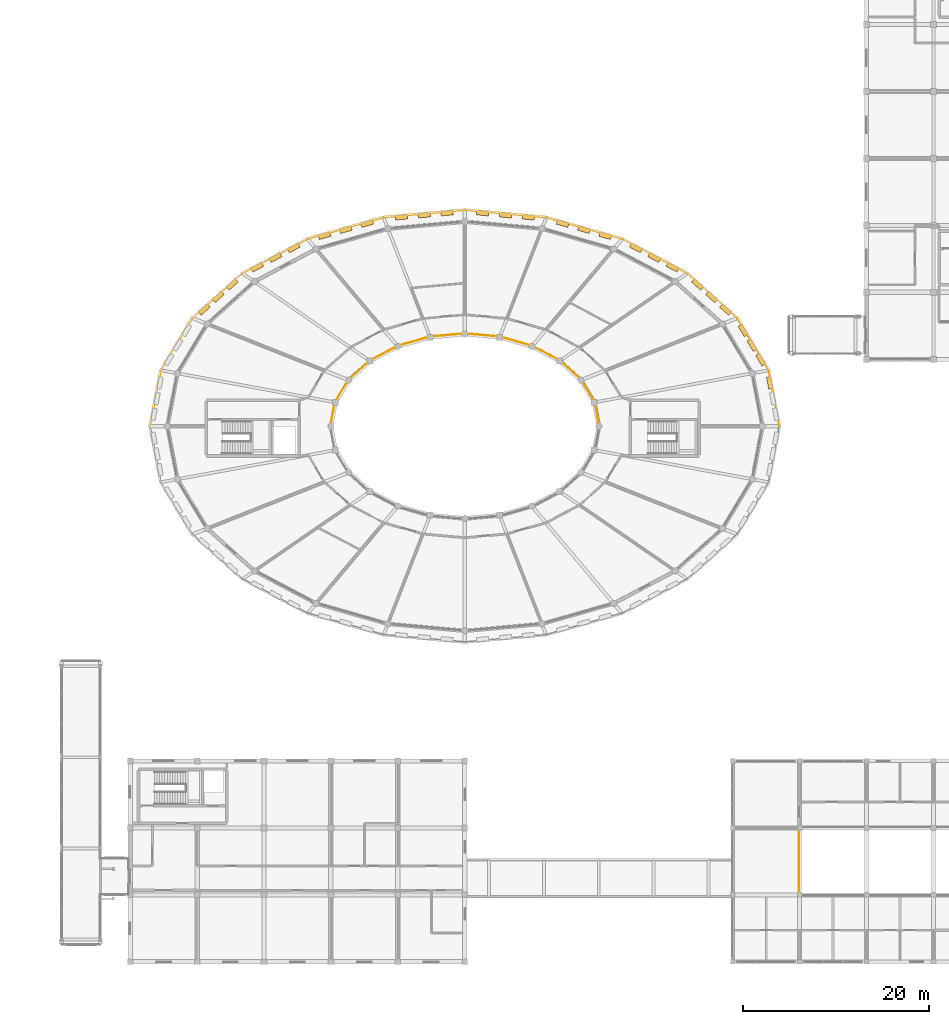
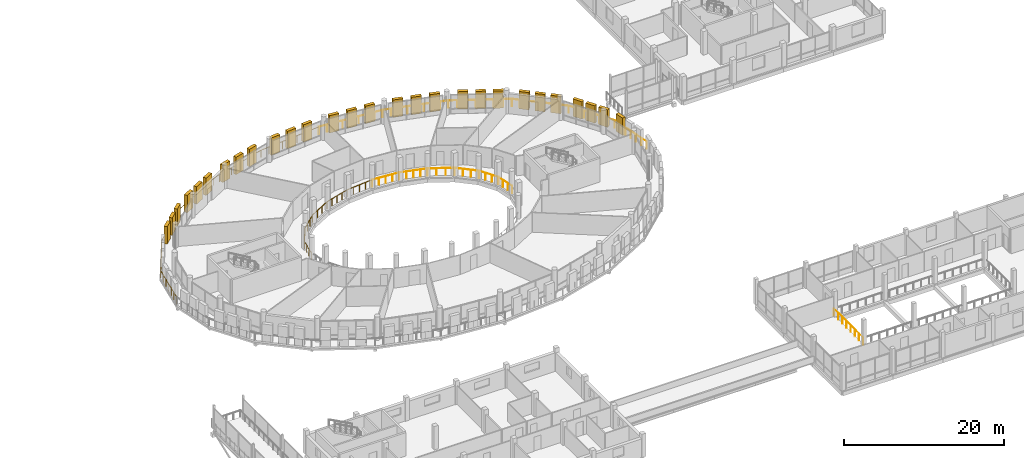
# One storey, part 126 of 128: 28 shading devices, 5 railings.
"""IFC4 building model written with IfcOpenShell, lengths in metres."""

from ifc_helpers import new_model, si_unit, direction, frame, origin, origin_2d, place, context, subcontext, project, spatial, rectangle, circle, extrude, material, type_object, element, save


model = new_model("IFC4")

# Units and contexts
model_context = context("Model", 3, precision=1e-05, world=origin(), true_north=direction((0.0, 1.0)))
body_context = subcontext(model_context, "Body", "Model", "MODEL_VIEW")
ifc_project = project(units=[si_unit("LENGTHUNIT", "METRE"), si_unit("AREAUNIT", "SQUARE_METRE"), si_unit("VOLUMEUNIT", "CUBIC_METRE"), si_unit("PLANEANGLEUNIT", "RADIAN"), si_unit("MASSUNIT", "GRAM", prefix="KILO")], contexts=[model_context])

# Site, building, storey
site_placement = place(None, origin())
site = spatial("IfcSite", under=ifc_project, at=site_placement, CompositionType="ELEMENT")
building_placement = place(site_placement, origin())
building = spatial("IfcBuilding", under=site, at=building_placement, Name="Zornivar Specialist Clinic", CompositionType="ELEMENT")
storey_placement = place(building_placement, frame((0.0, 0.0, 4.5)))
storey = spatial("IfcBuildingStorey", under=building, at=storey_placement, Name="L01", CompositionType="ELEMENT", Elevation=4.5)

# Railings
ifc_material_1 = material(Name="Painted Steel and Oiled Timber Balustrade", Category="steel")
railing_type_1 = type_object("IfcRailingType", Name="GRD-EXT-BALUST-1100", PredefinedType="BALUSTRADE", material=ifc_material_1)
railing_1_placement = place(storey_placement, frame((127.4541015625, 57.62890625, 0.0)))
element("IfcRailing", 1, at=railing_1_placement, inside=storey, type_object=railing_type_1, Name="rail:V1:L01:balc:q0", PredefinedType="BALUSTRADE", context=body_context, shape_type="SweptSolid", body=[
    extrude(circle(Radius=0.02392578125, at=origin_2d()), frame((0.0, 0.0, 1.076171875), z_axis=(-0.188227386656, 0.982125476155, 0.0), x_axis=(-0.982125476155, -0.188227386656, 0.0)), (0.0, 0.0, 1.0), 6.105224609375),
    extrude(circle(Radius=0.02392578125, at=origin_2d()), frame((-1.149169921875, 5.99609375, 1.076171875), z_axis=(-0.516422508188, 0.856333926127, 0.0), x_axis=(-0.856333926127, -0.516422508188, 0.0)), (0.0, 0.0, 1.0), 6.5546875),
    extrude(circle(Radius=0.02392578125, at=origin_2d()), frame((-4.5341796875, 11.609130859375, 1.076171875), z_axis=(-0.745201542332, 0.666839306959, 0.0), x_axis=(-0.666839306959, -0.745201542332, 0.0)), (0.0, 0.0, 1.0), 7.224853515625),
    extrude(circle(Radius=0.02392578125, at=origin_2d()), frame((-9.918212890625, 16.427001953125, 1.076171875), z_axis=(-0.884811989173, 0.465948220101, 0.0), x_axis=(-0.465948220101, -0.884811989173, 0.0)), (0.0, 0.0, 1.0), 7.92822265625),
    extrude(circle(Radius=0.02392578125, at=origin_2d()), frame((-16.93310546875, 20.12109375, 1.076171875), z_axis=(-0.961942919035, 0.273250472127, 0.0), x_axis=(-0.273250472127, -0.961942919035, 0.0)), (0.0, 0.0, 1.0), 8.487060546875),
    extrude(circle(Radius=0.02392578125, at=origin_2d()), frame((-25.09716796875, 22.440185546875, 1.076171875), z_axis=(-0.995949875612, 0.089910206697, 0.0), x_axis=(-0.089910206697, -0.995949875612, 0.0)), (0.0, 0.0, 1.0), 8.762451171875),
    extrude(circle(Radius=0.02099609375, at=origin_2d()), origin(), (0.0, 0.0, 1.0), 1.052001953125),
    extrude(circle(Radius=0.02099609375, at=origin_2d()), frame((-0.19140625, 0.999267578125, 0.0)), (0.0, 0.0, 1.0), 1.052001953125),
    extrude(circle(Radius=0.02099609375, at=origin_2d()), frame((-0.383056640625, 1.998779296875, 0.0)), (0.0, 0.0, 1.0), 1.052001953125),
    extrude(circle(Radius=0.02099609375, at=origin_2d()), frame((-0.57470703125, 2.998046875, 0.0)), (0.0, 0.0, 1.0), 1.052001953125),
    extrude(circle(Radius=0.02099609375, at=origin_2d()), frame((-0.76611328125, 3.997314453125, 0.0)), (0.0, 0.0, 1.0), 1.052001953125),
    extrude(circle(Radius=0.02099609375, at=origin_2d()), frame((-0.95751953125, 4.996826171875, 0.0)), (0.0, 0.0, 1.0), 1.052001953125),
    extrude(circle(Radius=0.02099609375, at=origin_2d()), frame((-1.149169921875, 5.99609375, 0.0)), (0.0, 0.0, 1.0), 1.052001953125),
    extrude(circle(Radius=0.02099609375, at=origin_2d()), frame((-1.71337890625, 6.931640625, 0.0)), (0.0, 0.0, 1.0), 1.052001953125),
    extrude(circle(Radius=0.02099609375, at=origin_2d()), frame((-2.277587890625, 7.8671875, 0.0)), (0.0, 0.0, 1.0), 1.052001953125),
    extrude(circle(Radius=0.02099609375, at=origin_2d()), frame((-2.841796875, 8.802734375, 0.0)), (0.0, 0.0, 1.0), 1.052001953125),
    extrude(circle(Radius=0.02099609375, at=origin_2d()), frame((-3.40576171875, 9.738037109375, 0.0)), (0.0, 0.0, 1.0), 1.052001953125),
    extrude(circle(Radius=0.02099609375, at=origin_2d()), frame((-3.969970703125, 10.673583984375, 0.0)), (0.0, 0.0, 1.0), 1.052001953125),
    extrude(circle(Radius=0.02099609375, at=origin_2d()), frame((-4.5341796875, 11.609130859375, 0.0)), (0.0, 0.0, 1.0), 1.052001953125),
    extrude(circle(Radius=0.02099609375, at=origin_2d()), frame((-5.30322265625, 12.29736328125, 0.0)), (0.0, 0.0, 1.0), 1.052001953125),
    extrude(circle(Radius=0.02099609375, at=origin_2d()), frame((-6.072509765625, 12.985595703125, 0.0)), (0.0, 0.0, 1.0), 1.052001953125),
    extrude(circle(Radius=0.02099609375, at=origin_2d()), frame((-6.841552734375, 13.673828125, 0.0)), (0.0, 0.0, 1.0), 1.052001953125),
    extrude(circle(Radius=0.02099609375, at=origin_2d()), frame((-7.61083984375, 14.3623046875, 0.0)), (0.0, 0.0, 1.0), 1.052001953125),
    extrude(circle(Radius=0.02099609375, at=origin_2d()), frame((-8.3798828125, 15.050537109375, 0.0)), (0.0, 0.0, 1.0), 1.052001953125),
    extrude(circle(Radius=0.02099609375, at=origin_2d()), frame((-9.149169921875, 15.73876953125, 0.0)), (0.0, 0.0, 1.0), 1.052001953125),
    extrude(circle(Radius=0.02099609375, at=origin_2d()), frame((-9.918212890625, 16.427001953125, 0.0)), (0.0, 0.0, 1.0), 1.052001953125),
    extrude(circle(Radius=0.02099609375, at=origin_2d()), frame((-10.92041015625, 16.954833984375, 0.0)), (0.0, 0.0, 1.0), 1.052001953125),
    extrude(circle(Radius=0.02099609375, at=origin_2d()), frame((-11.92236328125, 17.482421875, 0.0)), (0.0, 0.0, 1.0), 1.052001953125),
    extrude(circle(Radius=0.02099609375, at=origin_2d()), frame((-12.924560546875, 18.01025390625, 0.0)), (0.0, 0.0, 1.0), 1.052001953125),
    extrude(circle(Radius=0.02099609375, at=origin_2d()), frame((-13.9267578125, 18.537841796875, 0.0)), (0.0, 0.0, 1.0), 1.052001953125),
    extrude(circle(Radius=0.02099609375, at=origin_2d()), frame((-14.928955078125, 19.065673828125, 0.0)), (0.0, 0.0, 1.0), 1.052001953125),
    extrude(circle(Radius=0.02099609375, at=origin_2d()), frame((-15.930908203125, 19.59326171875, 0.0)), (0.0, 0.0, 1.0), 1.052001953125),
    extrude(circle(Radius=0.02099609375, at=origin_2d()), frame((-16.93310546875, 20.12109375, 0.0)), (0.0, 0.0, 1.0), 1.052001953125),
    extrude(circle(Radius=0.02099609375, at=origin_2d()), frame((-17.95361328125, 20.410888671875, 0.0)), (0.0, 0.0, 1.0), 1.052001953125),
    extrude(circle(Radius=0.02099609375, at=origin_2d()), frame((-18.97412109375, 20.700927734375, 0.0)), (0.0, 0.0, 1.0), 1.052001953125),
    extrude(circle(Radius=0.02099609375, at=origin_2d()), frame((-19.99462890625, 20.99072265625, 0.0)), (0.0, 0.0, 1.0), 1.052001953125),
    extrude(circle(Radius=0.02099609375, at=origin_2d()), frame((-21.01513671875, 21.28076171875, 0.0)), (0.0, 0.0, 1.0), 1.052001953125),
    extrude(circle(Radius=0.02099609375, at=origin_2d()), frame((-22.03564453125, 21.570556640625, 0.0)), (0.0, 0.0, 1.0), 1.052001953125),
    extrude(circle(Radius=0.02099609375, at=origin_2d()), frame((-23.05615234375, 21.8603515625, 0.0)), (0.0, 0.0, 1.0), 1.052001953125),
    extrude(circle(Radius=0.02099609375, at=origin_2d()), frame((-24.07666015625, 22.150390625, 0.0)), (0.0, 0.0, 1.0), 1.052001953125),
    extrude(circle(Radius=0.02099609375, at=origin_2d()), frame((-25.09716796875, 22.440185546875, 0.0)), (0.0, 0.0, 1.0), 1.052001953125),
    extrude(circle(Radius=0.02099609375, at=origin_2d()), frame((-26.18798828125, 22.53857421875, 0.0)), (0.0, 0.0, 1.0), 1.052001953125),
    extrude(circle(Radius=0.02099609375, at=origin_2d()), frame((-27.27880859375, 22.63720703125, 0.0)), (0.0, 0.0, 1.0), 1.052001953125),
    extrude(circle(Radius=0.02099609375, at=origin_2d()), frame((-28.369873046875, 22.735595703125, 0.0)), (0.0, 0.0, 1.0), 1.052001953125),
    extrude(circle(Radius=0.02099609375, at=origin_2d()), frame((-29.460693359375, 22.833984375, 0.0)), (0.0, 0.0, 1.0), 1.052001953125),
    extrude(circle(Radius=0.02099609375, at=origin_2d()), frame((-30.551513671875, 22.9326171875, 0.0)), (0.0, 0.0, 1.0), 1.052001953125),
    extrude(circle(Radius=0.02099609375, at=origin_2d()), frame((-31.642578125, 23.031005859375, 0.0)), (0.0, 0.0, 1.0), 1.052001953125),
    extrude(circle(Radius=0.02099609375, at=origin_2d()), frame((-32.7333984375, 23.129638671875, 0.0)), (0.0, 0.0, 1.0), 1.052001953125),
    extrude(circle(Radius=0.02099609375, at=origin_2d()), frame((-33.82421875, 23.22802734375, 0.0)), (0.0, 0.0, 1.0), 1.052001953125),
])
railing_2_placement = place(storey_placement, frame((93.570068359375, 80.85693359375, 0.0)))
element("IfcRailing", 2, at=railing_2_placement, inside=storey, type_object=railing_type_1, Name="rail:V1:L01:balc:q1", PredefinedType="BALUSTRADE", context=body_context, shape_type="SweptSolid", body=[
    extrude(circle(Radius=0.02392578125, at=origin_2d()), frame((0.0, 0.0, 1.076171875), z_axis=(-0.995949875612, -0.089910206697, 0.0), x_axis=(0.089910206697, -0.995949875612, 0.0)), (0.0, 0.0, 1.0), 8.762451171875),
    extrude(circle(Radius=0.02392578125, at=origin_2d()), frame((-8.72705078125, -0.787841796875, 1.076171875), z_axis=(-0.961942919035, -0.273250472127, 0.0), x_axis=(0.273250472127, -0.961942919035, 0.0)), (0.0, 0.0, 1.0), 8.487060546875),
    extrude(circle(Radius=0.02392578125, at=origin_2d()), frame((-16.89111328125, -3.10693359375, 1.076171875), z_axis=(-0.884811989173, -0.465948220101, 0.0), x_axis=(0.465948220101, -0.884811989173, 0.0)), (0.0, 0.0, 1.0), 7.92822265625),
    extrude(circle(Radius=0.02392578125, at=origin_2d()), frame((-23.906005859375, -6.801025390625, 1.076171875), z_axis=(-0.745201542332, -0.666839306959, 0.0), x_axis=(0.666839306959, -0.745201542332, 0.0)), (0.0, 0.0, 1.0), 7.224853515625),
    extrude(circle(Radius=0.02392578125, at=origin_2d()), frame((-29.2900390625, -11.618896484375, 1.076171875), z_axis=(-0.516422508188, -0.856333926127, 0.0), x_axis=(0.856333926127, -0.516422508188, 0.0)), (0.0, 0.0, 1.0), 6.5546875),
    extrude(circle(Radius=0.02392578125, at=origin_2d()), frame((-32.675048828125, -17.23193359375, 1.076171875), z_axis=(-0.188188814184, -0.982132867903, 0.0), x_axis=(0.982132867903, -0.188188814184, 0.0)), (0.0, 0.0, 1.0), 6.105224609375),
    extrude(circle(Radius=0.02099609375, at=origin_2d()), origin(), (0.0, 0.0, 1.0), 1.052001953125),
    extrude(circle(Radius=0.02099609375, at=origin_2d()), frame((-1.0908203125, -0.098388671875, 0.0)), (0.0, 0.0, 1.0), 1.052001953125),
    extrude(circle(Radius=0.02099609375, at=origin_2d()), frame((-2.181640625, -0.197021484375, 0.0)), (0.0, 0.0, 1.0), 1.052001953125),
    extrude(circle(Radius=0.02099609375, at=origin_2d()), frame((-3.272705078125, -0.29541015625, 0.0)), (0.0, 0.0, 1.0), 1.052001953125),
    extrude(circle(Radius=0.02099609375, at=origin_2d()), frame((-4.363525390625, -0.39404296875, 0.0)), (0.0, 0.0, 1.0), 1.052001953125),
    extrude(circle(Radius=0.02099609375, at=origin_2d()), frame((-5.454345703125, -0.492431640625, 0.0)), (0.0, 0.0, 1.0), 1.052001953125),
    extrude(circle(Radius=0.02099609375, at=origin_2d()), frame((-6.54541015625, -0.5908203125, 0.0)), (0.0, 0.0, 1.0), 1.052001953125),
    extrude(circle(Radius=0.02099609375, at=origin_2d()), frame((-7.63623046875, -0.689453125, 0.0)), (0.0, 0.0, 1.0), 1.052001953125),
    extrude(circle(Radius=0.02099609375, at=origin_2d()), frame((-8.72705078125, -0.787841796875, 0.0)), (0.0, 0.0, 1.0), 1.052001953125),
    extrude(circle(Radius=0.02099609375, at=origin_2d()), frame((-9.74755859375, -1.07763671875, 0.0)), (0.0, 0.0, 1.0), 1.052001953125),
    extrude(circle(Radius=0.02099609375, at=origin_2d()), frame((-10.76806640625, -1.36767578125, 0.0)), (0.0, 0.0, 1.0), 1.052001953125),
    extrude(circle(Radius=0.02099609375, at=origin_2d()), frame((-11.78857421875, -1.657470703125, 0.0)), (0.0, 0.0, 1.0), 1.052001953125),
    extrude(circle(Radius=0.02099609375, at=origin_2d()), frame((-12.80908203125, -1.947265625, 0.0)), (0.0, 0.0, 1.0), 1.052001953125),
    extrude(circle(Radius=0.02099609375, at=origin_2d()), frame((-13.82958984375, -2.2373046875, 0.0)), (0.0, 0.0, 1.0), 1.052001953125),
    extrude(circle(Radius=0.02099609375, at=origin_2d()), frame((-14.85009765625, -2.527099609375, 0.0)), (0.0, 0.0, 1.0), 1.052001953125),
    extrude(circle(Radius=0.02099609375, at=origin_2d()), frame((-15.87060546875, -2.817138671875, 0.0)), (0.0, 0.0, 1.0), 1.052001953125),
    extrude(circle(Radius=0.02099609375, at=origin_2d()), frame((-16.89111328125, -3.10693359375, 0.0)), (0.0, 0.0, 1.0), 1.052001953125),
    extrude(circle(Radius=0.02099609375, at=origin_2d()), frame((-17.893310546875, -3.634765625, 0.0)), (0.0, 0.0, 1.0), 1.052001953125),
    extrude(circle(Radius=0.02099609375, at=origin_2d()), frame((-18.895263671875, -4.162353515625, 0.0)), (0.0, 0.0, 1.0), 1.052001953125),
    extrude(circle(Radius=0.02099609375, at=origin_2d()), frame((-19.8974609375, -4.690185546875, 0.0)), (0.0, 0.0, 1.0), 1.052001953125),
    extrude(circle(Radius=0.02099609375, at=origin_2d()), frame((-20.899658203125, -5.2177734375, 0.0)), (0.0, 0.0, 1.0), 1.052001953125),
    extrude(circle(Radius=0.02099609375, at=origin_2d()), frame((-21.90185546875, -5.74560546875, 0.0)), (0.0, 0.0, 1.0), 1.052001953125),
    extrude(circle(Radius=0.02099609375, at=origin_2d()), frame((-22.90380859375, -6.273193359375, 0.0)), (0.0, 0.0, 1.0), 1.052001953125),
    extrude(circle(Radius=0.02099609375, at=origin_2d()), frame((-23.906005859375, -6.801025390625, 0.0)), (0.0, 0.0, 1.0), 1.052001953125),
    extrude(circle(Radius=0.02099609375, at=origin_2d()), frame((-24.675048828125, -7.4892578125, 0.0)), (0.0, 0.0, 1.0), 1.052001953125),
    extrude(circle(Radius=0.02099609375, at=origin_2d()), frame((-25.4443359375, -8.177490234375, 0.0)), (0.0, 0.0, 1.0), 1.052001953125),
    extrude(circle(Radius=0.02099609375, at=origin_2d()), frame((-26.21337890625, -8.86572265625, 0.0)), (0.0, 0.0, 1.0), 1.052001953125),
    extrude(circle(Radius=0.02099609375, at=origin_2d()), frame((-26.982666015625, -9.55419921875, 0.0)), (0.0, 0.0, 1.0), 1.052001953125),
    extrude(circle(Radius=0.02099609375, at=origin_2d()), frame((-27.751708984375, -10.242431640625, 0.0)), (0.0, 0.0, 1.0), 1.052001953125),
    extrude(circle(Radius=0.02099609375, at=origin_2d()), frame((-28.52099609375, -10.9306640625, 0.0)), (0.0, 0.0, 1.0), 1.052001953125),
    extrude(circle(Radius=0.02099609375, at=origin_2d()), frame((-29.2900390625, -11.618896484375, 0.0)), (0.0, 0.0, 1.0), 1.052001953125),
    extrude(circle(Radius=0.02099609375, at=origin_2d()), frame((-29.854248046875, -12.554443359375, 0.0)), (0.0, 0.0, 1.0), 1.052001953125),
    extrude(circle(Radius=0.02099609375, at=origin_2d()), frame((-30.41845703125, -13.489990234375, 0.0)), (0.0, 0.0, 1.0), 1.052001953125),
    extrude(circle(Radius=0.02099609375, at=origin_2d()), frame((-30.982421875, -14.42529296875, 0.0)), (0.0, 0.0, 1.0), 1.052001953125),
    extrude(circle(Radius=0.02099609375, at=origin_2d()), frame((-31.546630859375, -15.36083984375, 0.0)), (0.0, 0.0, 1.0), 1.052001953125),
    extrude(circle(Radius=0.02099609375, at=origin_2d()), frame((-32.11083984375, -16.29638671875, 0.0)), (0.0, 0.0, 1.0), 1.052001953125),
    extrude(circle(Radius=0.02099609375, at=origin_2d()), frame((-32.675048828125, -17.23193359375, 0.0)), (0.0, 0.0, 1.0), 1.052001953125),
    extrude(circle(Radius=0.02099609375, at=origin_2d()), frame((-32.866455078125, -18.231201171875, 0.0)), (0.0, 0.0, 1.0), 1.052001953125),
    extrude(circle(Radius=0.02099609375, at=origin_2d()), frame((-33.05810546875, -19.230712890625, 0.0)), (0.0, 0.0, 1.0), 1.052001953125),
    extrude(circle(Radius=0.02099609375, at=origin_2d()), frame((-33.24951171875, -20.22998046875, 0.0)), (0.0, 0.0, 1.0), 1.052001953125),
    extrude(circle(Radius=0.02099609375, at=origin_2d()), frame((-33.44091796875, -21.229248046875, 0.0)), (0.0, 0.0, 1.0), 1.052001953125),
    extrude(circle(Radius=0.02099609375, at=origin_2d()), frame((-33.632568359375, -22.228759765625, 0.0)), (0.0, 0.0, 1.0), 1.052001953125),
    extrude(circle(Radius=0.02099609375, at=origin_2d()), frame((-33.823974609375, -23.22802734375, 0.0)), (0.0, 0.0, 1.0), 1.052001953125),
])
ifc_material_2 = material(Name="Brushed Stainless Steel Stair Guardrail", Category="steel")
railing_type_2 = type_object("IfcRailingType", Name="GRD-INT-STAIR-1100", PredefinedType="GUARDRAIL", material=ifc_material_2)
railing_3_placement = place(storey_placement, frame((108.073974609375, 57.62890625, 0.0)))
element("IfcRailing", 3, at=railing_3_placement, inside=storey, type_object=railing_type_2, Name="sg:V1:L01:atrium:q0", PredefinedType="GUARDRAIL", context=body_context, shape_type="SweptSolid", body=[
    extrude(circle(Radius=0.02392578125, at=origin_2d()), frame((0.0, 0.0, 1.076171875), z_axis=(-0.187453881852, 0.982273405004, 0.0), x_axis=(-0.982273405004, -0.187453881852, 0.0)), (0.0, 0.0, 1.0), 2.593017578125),
    extrude(circle(Radius=0.02392578125, at=origin_2d()), frame((-0.486083984375, 2.547119140625, 1.076171875), z_axis=(-0.5146109966, 0.857423770477, 0.0), x_axis=(-0.857423770477, -0.5146109966, 0.0)), (0.0, 0.0, 1.0), 2.8037109375),
    extrude(circle(Radius=0.02392578125, at=origin_2d()), frame((-1.928955078125, 4.951171875, 1.076171875), z_axis=(-0.743690964055, 0.668523559781, 0.0), x_axis=(-0.668523559781, -0.743690964055, 0.0)), (0.0, 0.0, 1.0), 3.0888671875),
    extrude(circle(Radius=0.02392578125, at=origin_2d()), frame((-4.22607421875, 7.01611328125, 1.076171875), z_axis=(-0.883356925607, 0.468700908878, 0.0), x_axis=(-0.468700908878, -0.883356925607, 0.0)), (0.0, 0.0, 1.0), 3.392578125),
    extrude(circle(Radius=0.02392578125, at=origin_2d()), frame((-7.222900390625, 8.606201171875, 1.076171875), z_axis=(-0.96120914359, 0.27582056174, 0.0), x_axis=(-0.27582056174, -0.96120914359, 0.0)), (0.0, 0.0, 1.0), 3.63623046875),
    extrude(circle(Radius=0.02392578125, at=origin_2d()), frame((-10.718017578125, 9.609130859375, 1.076171875), z_axis=(-0.995889996682, 0.090571046743, 0.0), x_axis=(-0.090571046743, -0.995889996682, 0.0)), (0.0, 0.0, 1.0), 3.741455078125),
    extrude(circle(Radius=0.02099609375, at=origin_2d()), origin(), (0.0, 0.0, 1.0), 1.052001953125),
    extrude(circle(Radius=0.02099609375, at=origin_2d()), frame((-0.162109375, 0.84912109375, 0.0)), (0.0, 0.0, 1.0), 1.052001953125),
    extrude(circle(Radius=0.02099609375, at=origin_2d()), frame((-0.323974609375, 1.697998046875, 0.0)), (0.0, 0.0, 1.0), 1.052001953125),
    extrude(circle(Radius=0.02099609375, at=origin_2d()), frame((-0.486083984375, 2.547119140625, 0.0)), (0.0, 0.0, 1.0), 1.052001953125),
    extrude(circle(Radius=0.02099609375, at=origin_2d()), frame((-0.967041015625, 3.348388671875, 0.0)), (0.0, 0.0, 1.0), 1.052001953125),
    extrude(circle(Radius=0.02099609375, at=origin_2d()), frame((-1.447998046875, 4.14990234375, 0.0)), (0.0, 0.0, 1.0), 1.052001953125),
    extrude(circle(Radius=0.02099609375, at=origin_2d()), frame((-1.928955078125, 4.951171875, 0.0)), (0.0, 0.0, 1.0), 1.052001953125),
    extrude(circle(Radius=0.02099609375, at=origin_2d()), frame((-2.694580078125, 5.639404296875, 0.0)), (0.0, 0.0, 1.0), 1.052001953125),
    extrude(circle(Radius=0.02099609375, at=origin_2d()), frame((-3.46044921875, 6.327880859375, 0.0)), (0.0, 0.0, 1.0), 1.052001953125),
    extrude(circle(Radius=0.02099609375, at=origin_2d()), frame((-4.22607421875, 7.01611328125, 0.0)), (0.0, 0.0, 1.0), 1.052001953125),
    extrude(circle(Radius=0.02099609375, at=origin_2d()), frame((-5.22509765625, 7.546142578125, 0.0)), (0.0, 0.0, 1.0), 1.052001953125),
    extrude(circle(Radius=0.02099609375, at=origin_2d()), frame((-6.223876953125, 8.076171875, 0.0)), (0.0, 0.0, 1.0), 1.052001953125),
    extrude(circle(Radius=0.02099609375, at=origin_2d()), frame((-7.222900390625, 8.606201171875, 0.0)), (0.0, 0.0, 1.0), 1.052001953125),
    extrude(circle(Radius=0.02099609375, at=origin_2d()), frame((-8.0966796875, 8.85693359375, 0.0)), (0.0, 0.0, 1.0), 1.052001953125),
    extrude(circle(Radius=0.02099609375, at=origin_2d()), frame((-8.970458984375, 9.107666015625, 0.0)), (0.0, 0.0, 1.0), 1.052001953125),
    extrude(circle(Radius=0.02099609375, at=origin_2d()), frame((-9.84423828125, 9.3583984375, 0.0)), (0.0, 0.0, 1.0), 1.052001953125),
    extrude(circle(Radius=0.02099609375, at=origin_2d()), frame((-10.718017578125, 9.609130859375, 0.0)), (0.0, 0.0, 1.0), 1.052001953125),
    extrude(circle(Radius=0.02099609375, at=origin_2d()), frame((-11.6494140625, 9.69384765625, 0.0)), (0.0, 0.0, 1.0), 1.052001953125),
    extrude(circle(Radius=0.02099609375, at=origin_2d()), frame((-12.5810546875, 9.778564453125, 0.0)), (0.0, 0.0, 1.0), 1.052001953125),
    extrude(circle(Radius=0.02099609375, at=origin_2d()), frame((-13.5126953125, 9.86328125, 0.0)), (0.0, 0.0, 1.0), 1.052001953125),
    extrude(circle(Radius=0.02099609375, at=origin_2d()), frame((-14.444091796875, 9.947998046875, 0.0)), (0.0, 0.0, 1.0), 1.052001953125),
])
railing_4_placement = place(storey_placement, frame((93.570068359375, 67.576904296875, 0.0)))
element("IfcRailing", 4, at=railing_4_placement, inside=storey, type_object=railing_type_2, Name="sg:V1:L01:atrium:q1", PredefinedType="GUARDRAIL", context=body_context, shape_type="SweptSolid", body=[
    extrude(circle(Radius=0.02392578125, at=origin_2d()), frame((0.0, 0.0, 1.076171875), z_axis=(-0.995889996682, -0.090571046743, 0.0), x_axis=(0.090571046743, -0.995889996682, 0.0)), (0.0, 0.0, 1.0), 3.741455078125),
    extrude(circle(Radius=0.02392578125, at=origin_2d()), frame((-3.72607421875, -0.3388671875, 1.076171875), z_axis=(-0.961204035112, -0.275838363691, 0.0), x_axis=(0.275838363691, -0.961204035112, 0.0)), (0.0, 0.0, 1.0), 3.635986328125),
    extrude(circle(Radius=0.02392578125, at=origin_2d()), frame((-7.220947265625, -1.341796875, 1.076171875), z_axis=(-0.883372733169, -0.468671115276, 0.0), x_axis=(0.468671115276, -0.883372733169, 0.0)), (0.0, 0.0, 1.0), 3.392822265625),
    extrude(circle(Radius=0.02392578125, at=origin_2d()), frame((-10.218017578125, -2.931884765625, 1.076171875), z_axis=(-0.743690964055, -0.668523559781, 0.0), x_axis=(0.668523559781, -0.743690964055, 0.0)), (0.0, 0.0, 1.0), 3.0888671875),
    extrude(circle(Radius=0.02392578125, at=origin_2d()), frame((-12.51513671875, -4.996826171875, 1.076171875), z_axis=(-0.5146109966, -0.857423770477, 0.0), x_axis=(0.857423770477, -0.5146109966, 0.0)), (0.0, 0.0, 1.0), 2.8037109375),
    extrude(circle(Radius=0.02392578125, at=origin_2d()), frame((-13.9580078125, -7.40087890625, 1.076171875), z_axis=(-0.187453881852, -0.982273405004, 0.0), x_axis=(0.982273405004, -0.187453881852, 0.0)), (0.0, 0.0, 1.0), 2.593017578125),
    extrude(circle(Radius=0.02099609375, at=origin_2d()), origin(), (0.0, 0.0, 1.0), 1.052001953125),
    extrude(circle(Radius=0.02099609375, at=origin_2d()), frame((-0.931640625, -0.084716796875, 0.0)), (0.0, 0.0, 1.0), 1.052001953125),
    extrude(circle(Radius=0.02099609375, at=origin_2d()), frame((-1.863037109375, -0.16943359375, 0.0)), (0.0, 0.0, 1.0), 1.052001953125),
    extrude(circle(Radius=0.02099609375, at=origin_2d()), frame((-2.79443359375, -0.254150390625, 0.0)), (0.0, 0.0, 1.0), 1.052001953125),
    extrude(circle(Radius=0.02099609375, at=origin_2d()), frame((-3.72607421875, -0.3388671875, 0.0)), (0.0, 0.0, 1.0), 1.052001953125),
    extrude(circle(Radius=0.02099609375, at=origin_2d()), frame((-4.599853515625, -0.589599609375, 0.0)), (0.0, 0.0, 1.0), 1.052001953125),
    extrude(circle(Radius=0.02099609375, at=origin_2d()), frame((-5.4736328125, -0.84033203125, 0.0)), (0.0, 0.0, 1.0), 1.052001953125),
    extrude(circle(Radius=0.02099609375, at=origin_2d()), frame((-6.34716796875, -1.091064453125, 0.0)), (0.0, 0.0, 1.0), 1.052001953125),
    extrude(circle(Radius=0.02099609375, at=origin_2d()), frame((-7.220947265625, -1.341796875, 0.0)), (0.0, 0.0, 1.0), 1.052001953125),
    extrude(circle(Radius=0.02099609375, at=origin_2d()), frame((-8.219970703125, -1.871826171875, 0.0)), (0.0, 0.0, 1.0), 1.052001953125),
    extrude(circle(Radius=0.02099609375, at=origin_2d()), frame((-9.218994140625, -2.40185546875, 0.0)), (0.0, 0.0, 1.0), 1.052001953125),
    extrude(circle(Radius=0.02099609375, at=origin_2d()), frame((-10.218017578125, -2.931884765625, 0.0)), (0.0, 0.0, 1.0), 1.052001953125),
    extrude(circle(Radius=0.02099609375, at=origin_2d()), frame((-10.983642578125, -3.6201171875, 0.0)), (0.0, 0.0, 1.0), 1.052001953125),
    extrude(circle(Radius=0.02099609375, at=origin_2d()), frame((-11.74951171875, -4.30859375, 0.0)), (0.0, 0.0, 1.0), 1.052001953125),
    extrude(circle(Radius=0.02099609375, at=origin_2d()), frame((-12.51513671875, -4.996826171875, 0.0)), (0.0, 0.0, 1.0), 1.052001953125),
    extrude(circle(Radius=0.02099609375, at=origin_2d()), frame((-12.99609375, -5.798095703125, 0.0)), (0.0, 0.0, 1.0), 1.052001953125),
    extrude(circle(Radius=0.02099609375, at=origin_2d()), frame((-13.47705078125, -6.599609375, 0.0)), (0.0, 0.0, 1.0), 1.052001953125),
    extrude(circle(Radius=0.02099609375, at=origin_2d()), frame((-13.9580078125, -7.40087890625, 0.0)), (0.0, 0.0, 1.0), 1.052001953125),
    extrude(circle(Radius=0.02099609375, at=origin_2d()), frame((-14.1201171875, -8.25, 0.0)), (0.0, 0.0, 1.0), 1.052001953125),
    extrude(circle(Radius=0.02099609375, at=origin_2d()), frame((-14.281982421875, -9.098876953125, 0.0)), (0.0, 0.0, 1.0), 1.052001953125),
    extrude(circle(Radius=0.02099609375, at=origin_2d()), frame((-14.444091796875, -9.947998046875, 0.0)), (0.0, 0.0, 1.0), 1.052001953125),
])
railing_5_placement = place(storey_placement, frame((129.52001953125, 14.43994140625, 0.0)))
element("IfcRailing", 5, at=railing_5_placement, inside=storey, type_object=railing_type_2, Name="sg:V4:L01:void:W", PredefinedType="GUARDRAIL", context=body_context, shape_type="SweptSolid", body=[
    extrude(circle(Radius=0.02392578125, at=origin_2d()), frame((0.0, 0.0, 1.076171875), z_axis=(0.0, -1.0, 0.0), x_axis=(1.0, 0.0, 0.0)), (0.0, 0.0, 1.0), 7.280029296875),
    extrude(circle(Radius=0.02099609375, at=origin_2d()), origin(), (0.0, 0.0, 1.0), 1.052001953125),
    extrude(circle(Radius=0.02099609375, at=origin_2d()), frame((0.0, -1.0400390625, 0.0)), (0.0, 0.0, 1.0), 1.052001953125),
    extrude(circle(Radius=0.02099609375, at=origin_2d()), frame((0.0, -2.080078125, 0.0)), (0.0, 0.0, 1.0), 1.052001953125),
    extrude(circle(Radius=0.02099609375, at=origin_2d()), frame((0.0, -3.1201171875, 0.0)), (0.0, 0.0, 1.0), 1.052001953125),
    extrude(circle(Radius=0.02099609375, at=origin_2d()), frame((0.0, -4.159912109375, 0.0)), (0.0, 0.0, 1.0), 1.052001953125),
    extrude(circle(Radius=0.02099609375, at=origin_2d()), frame((0.0, -5.199951171875, 0.0)), (0.0, 0.0, 1.0), 1.052001953125),
    extrude(circle(Radius=0.02099609375, at=origin_2d()), frame((0.0, -6.239990234375, 0.0)), (0.0, 0.0, 1.0), 1.052001953125),
    extrude(circle(Radius=0.02099609375, at=origin_2d()), frame((0.0, -7.280029296875, 0.0)), (0.0, 0.0, 1.0), 1.052001953125),
])

# Shading devices
ifc_material_3 = material(Name="Oiled European Larch Timber Louvre Shutter", Category="wood")
shading_device_type = type_object("IfcShadingDeviceType", Name="SHD-DRUM-SHUTTER-450", PredefinedType="SHUTTER", material=ifc_material_3)
for number, where, z_axis, x_axis, name in (
    (6, (126.373046875, 62.260986328125, 0.0), (0.0, 0.0, 1.0), (-0.188098987302, 0.982150075587, 0.0), "shutter:V1:L01:c00:2"),
    (7, (125.404052734375, 64.743896484375, 0.0), (0.0, 0.0, 1.0), (-0.516018019467, 0.856577727696, 0.0), "shutter:V1:L01:c01:0"),
    (8, (124.4560546875, 66.319091796875, 0.0), (0.0, 0.0, 1.0), (-0.516018019467, 0.856577727696, 0.0), "shutter:V1:L01:c01:1"),
    (9, (123.507080078125, 67.89404296875, 0.0), (0.0, 0.0, 1.0), (-0.516018019467, 0.856577727696, 0.0), "shutter:V1:L01:c01:2"),
    (10, (121.623046875, 70.135986328125, 0.0), (0.0, 0.0, 1.0), (-0.744796712128, 0.667291433785, 0.0), "shutter:V1:L01:c02:0"),
    (11, (120.114013671875, 71.489013671875, 0.0), (0.0, 0.0, 1.0), (-0.744796712128, 0.667291433785, 0.0), "shutter:V1:L01:c02:1"),
    (12, (118.60400390625, 72.841064453125, 0.0), (0.0, 0.0, 1.0), (-0.744796712128, 0.667291433785, 0.0), "shutter:V1:L01:c02:2"),
    (13, (115.923095703125, 74.68408203125, 0.0), (0.0, 0.0, 1.0), (-0.884469914632, 0.466597224713, 0.0), "shutter:V1:L01:c03:0"),
    (14, (113.9560546875, 75.721923828125, 0.0), (0.0, 0.0, 1.0), (-0.884469914632, 0.466597224713, 0.0), "shutter:V1:L01:c03:1"),
    (15, (111.989013671875, 76.760009765625, 0.0), (0.0, 0.0, 1.0), (-0.884469914632, 0.466597224713, 0.0), "shutter:V1:L01:c03:2"),
    (16, (108.69189453125, 78.068115234375, 0.0), (0.0, 0.0, 1.0), (-0.961785255901, 0.273804896838, 0.0), "shutter:V1:L01:c04:0"),
    (17, (106.40087890625, 78.719970703125, 0.0), (0.0, 0.0, 1.0), (-0.961785255901, 0.273804896838, 0.0), "shutter:V1:L01:c04:1"),
    (18, (104.110107421875, 79.3720703125, 0.0), (0.0, 0.0, 1.0), (-0.961785255901, 0.273804896838, 0.0), "shutter:V1:L01:c04:2"),
    (19, (100.425048828125, 80.051025390625, 0.0), (0.0, 0.0, 1.0), (-0.995924761284, 0.090187969607, 0.0), "shutter:V1:L01:c05:0"),
    (20, (97.967041015625, 80.27392578125, 0.0), (0.0, 0.0, 1.0), (-0.995924761284, 0.090187969607, 0.0), "shutter:V1:L01:c05:1"),
    (21, (95.509033203125, 80.49609375, 0.0), (0.0, 0.0, 1.0), (-0.995924761284, 0.090187969607, 0.0), "shutter:V1:L01:c05:2"),
    (22, (91.69091796875, 80.49609375, 0.0), (0.0, 0.0, 1.0), (-0.995924761284, -0.090187969607, 0.0), "shutter:V1:L01:c06:0"),
    (23, (89.23291015625, 80.27392578125, 0.0), (0.0, 0.0, 1.0), (-0.995924761284, -0.090187969607, 0.0), "shutter:V1:L01:c06:1"),
    (24, (86.77490234375, 80.051025390625, 0.0), (0.0, 0.0, 1.0), (-0.995924761284, -0.090187969607, 0.0), "shutter:V1:L01:c06:2"),
    (25, (83.090087890625, 79.3720703125, 0.0), (0.0, 0.0, 1.0), (-0.961785255901, -0.273804896838, 0.0), "shutter:V1:L01:c07:0"),
    (26, (80.799072265625, 78.719970703125, 0.0), (0.0, 0.0, 1.0), (-0.961785255901, -0.273804896838, 0.0), "shutter:V1:L01:c07:1"),
    (27, (78.508056640625, 78.068115234375, 0.0), (0.0, 0.0, 1.0), (-0.961785255901, -0.273804896838, 0.0), "shutter:V1:L01:c07:2"),
    (28, (75.2109375, 76.760009765625, 0.0), (0.0, 0.0, 1.0), (-0.884469914632, -0.466597224713, 0.0), "shutter:V1:L01:c08:0"),
    (29, (73.243896484375, 75.721923828125, 0.0), (0.0, 0.0, 1.0), (-0.884469914632, -0.466597224713, 0.0), "shutter:V1:L01:c08:1"),
    (30, (71.277099609375, 74.68408203125, 0.0), (0.0, 0.0, 1.0), (-0.884469914632, -0.466597224713, 0.0), "shutter:V1:L01:c08:2"),
    (31, (68.595947265625, 72.841064453125, 0.0), (0.0, 0.0, 1.0), (-0.744796712128, -0.667291433785, 0.0), "shutter:V1:L01:c09:0"),
    (32, (67.0859375, 71.489013671875, 0.0), (0.0, 0.0, 1.0), (-0.744796712128, -0.667291433785, 0.0), "shutter:V1:L01:c09:1"),
    (33, (65.576904296875, 70.135986328125, 0.0), (0.0, 0.0, 1.0), (-0.744796712128, -0.667291433785, 0.0), "shutter:V1:L01:c09:2"),
):
    element("IfcShadingDevice", number, at=place(storey_placement, frame(where, z_axis=z_axis, x_axis=x_axis)), inside=storey, type_object=shading_device_type, Name=name, PredefinedType="SHUTTER", context=body_context, shape_type="SweptSolid", body=[
        extrude(rectangle(XDim=1.300048828125, YDim=0.449951171875, at=origin_2d()), origin(), (0.0, 0.0, 1.0), 2.64990234375),
    ])

save(model, "model.ifc")
